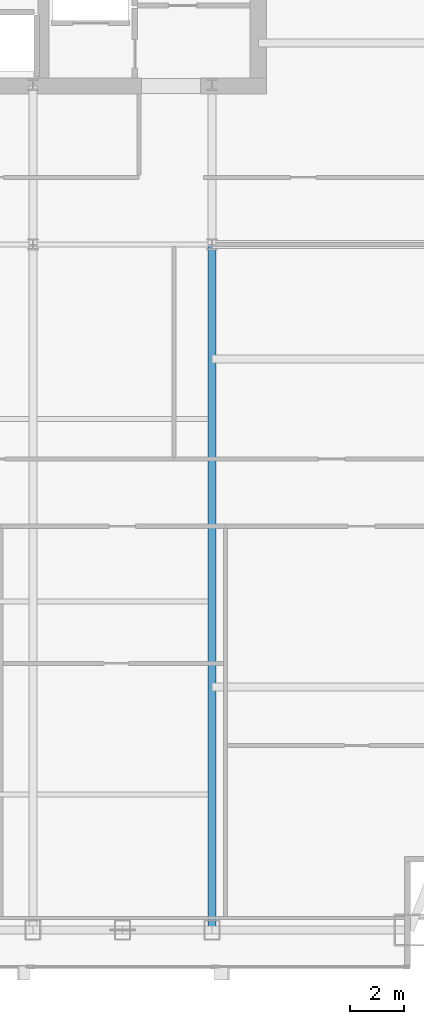
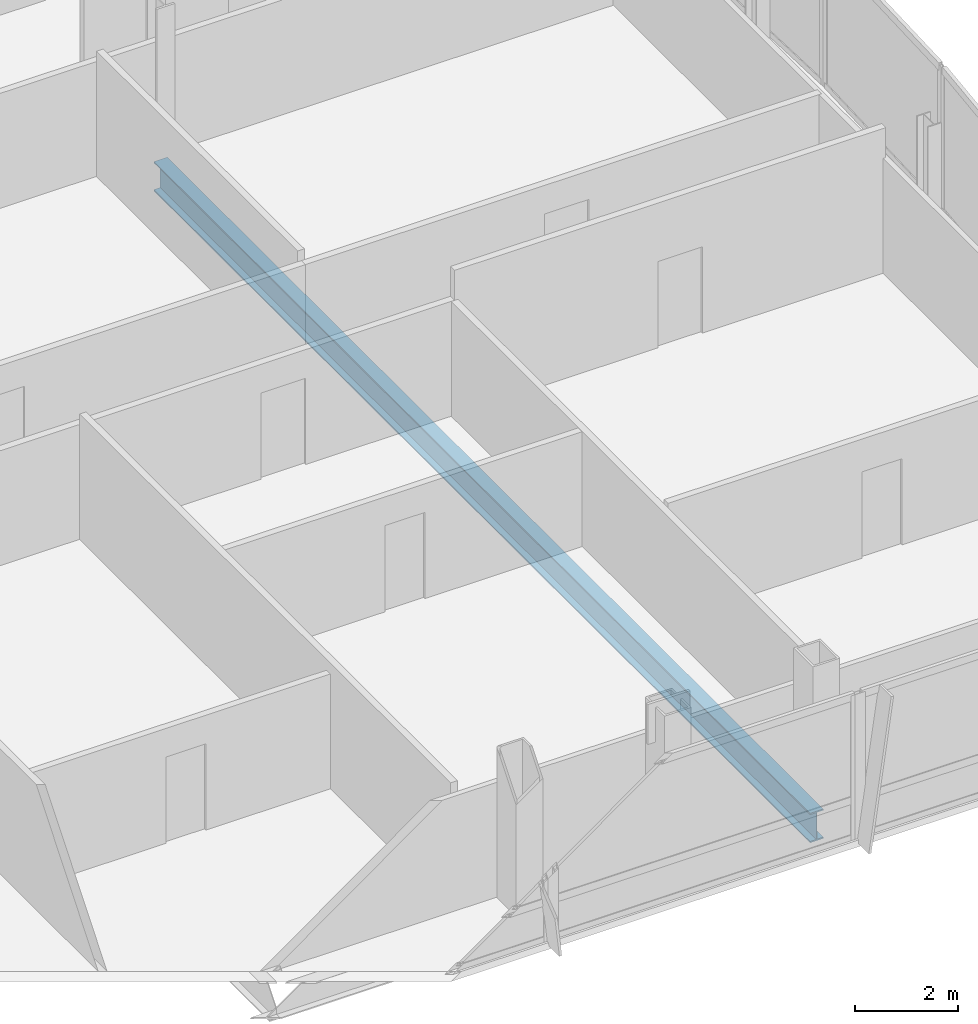
# One storey, part 17 of 32: 1 beam.
"""IFC4 building model written with IfcOpenShell, lengths in metres."""

from ifc_helpers import new_model, si_unit, direction, frame, origin, origin_2d, place, context, subcontext, project, spatial, i_section, extrude, material, material_profile, profile_set, type_object, element, save


model = new_model("IFC4")

# Units and contexts
model_context = context("Model", 3, precision=1e-05, world=origin(), true_north=direction((0.0, 1.0)))
body_context = subcontext(model_context, "Body", "Model", "MODEL_VIEW")
ifc_project = project(units=[si_unit("LENGTHUNIT", "METRE"), si_unit("AREAUNIT", "SQUARE_METRE"), si_unit("VOLUMEUNIT", "CUBIC_METRE"), si_unit("PLANEANGLEUNIT", "RADIAN"), si_unit("MASSUNIT", "GRAM", prefix="KILO")], contexts=[model_context])

# Site, building, storey
site_placement = place(None, origin())
site = spatial("IfcSite", under=ifc_project, at=site_placement, CompositionType="ELEMENT")
building_placement = place(site_placement, origin())
building = spatial("IfcBuilding", under=site, at=building_placement, Name="Khoronbel Lancet Exchange", CompositionType="ELEMENT")
storey_placement = place(building_placement, frame((0.0, 0.0, 195.800048828125)))
storey = spatial("IfcBuildingStorey", under=building, at=storey_placement, Name="L49", CompositionType="ELEMENT", Elevation=195.800048828125)

# Beam
ifc_material = material(Name="Steel S355", Category="steel")
ifc_material_profile = material_profile(ifc_material, i_section(OverallWidth=0.300048828125, OverallDepth=0.699951171875, WebThickness=0.01708984375, FlangeThickness=0.031982421875, at=origin_2d()), Name="HEB 700")
ifc_profile_set = profile_set([ifc_material_profile], Name="Steel S355")
beam_type = type_object("IfcBeamType", Name="BM-BG3", PredefinedType="BEAM", material=ifc_profile_set)
beam_placement = place(storey_placement, frame((54.675048828125, 10.14990234375, -0.510009765625), z_axis=(0.0, 1.0, 0.0), x_axis=(-1.0, 0.0, 0.0)))
element("IfcBeam", 1, at=beam_placement, inside=storey, type_object=beam_type, Name="Level L49 south primary girder GS6", PredefinedType="BEAM", context=body_context, shape_type="SweptSolid", body=[
    extrude(i_section(OverallWidth=0.300048828125, OverallDepth=0.699951171875, WebThickness=0.01708984375, FlangeThickness=0.031982421875, at=origin_2d()), origin(), (0.0, 0.0, 1.0), 25.550048828125),
])

save(model, "model.ifc")
